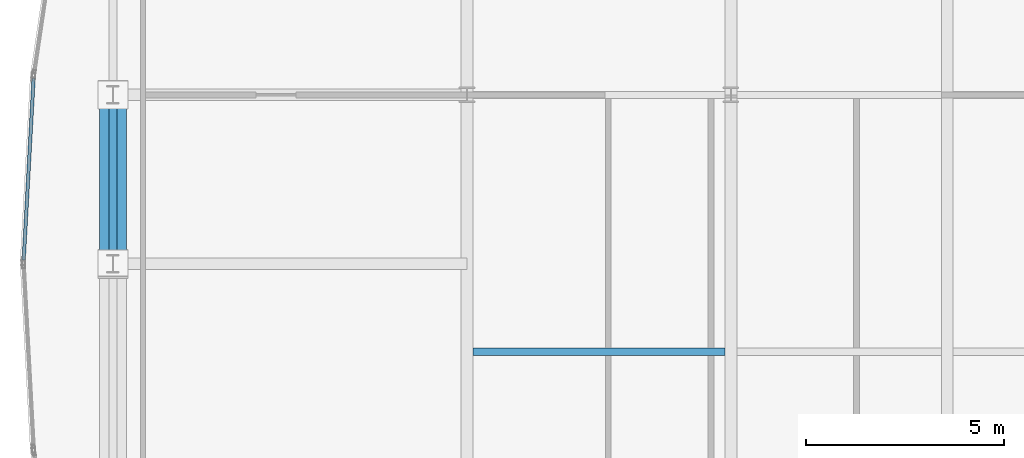
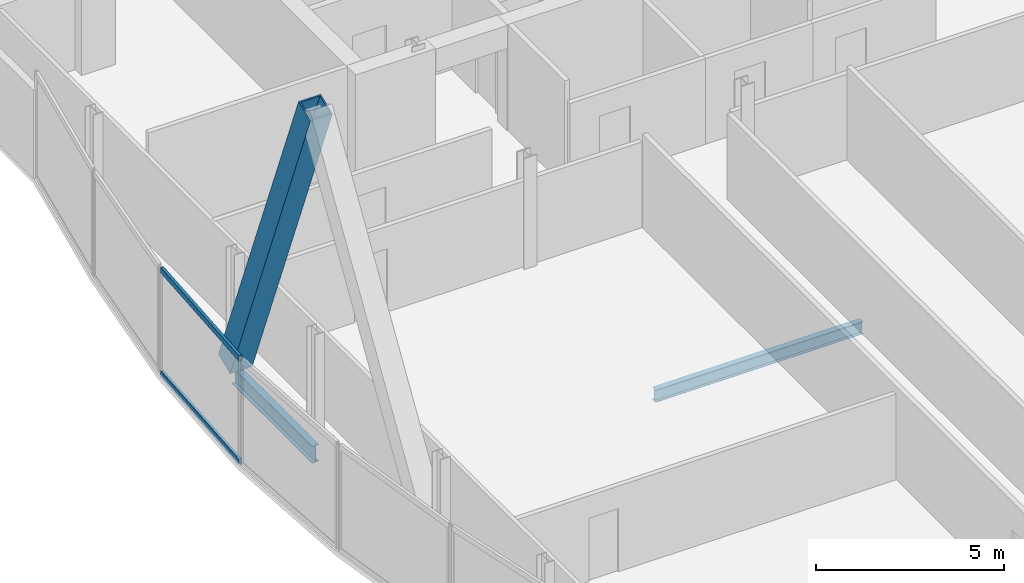
# One storey, part 11 of 31: 3 members, 2 beams, 1 element without a shape of its own.
"""IFC4 building model written with IfcOpenShell, lengths in metres."""

from ifc_helpers import new_model, si_unit, direction, frame, origin, origin_2d, place, context, subcontext, project, spatial, hollow_rectangle, i_section, extrude, material, material_profile, profile_set, type_object, element, aggregate, save


model = new_model("IFC4")

# Units and contexts
model_context = context("Model", 3, precision=1e-05, world=origin(), true_north=direction((0.0, 1.0)))
body_context = subcontext(model_context, "Body", "Model", "MODEL_VIEW")
ifc_project = project(units=[si_unit("LENGTHUNIT", "METRE"), si_unit("AREAUNIT", "SQUARE_METRE"), si_unit("VOLUMEUNIT", "CUBIC_METRE"), si_unit("PLANEANGLEUNIT", "RADIAN"), si_unit("MASSUNIT", "GRAM", prefix="KILO")], contexts=[model_context])

# Site, building, storey
site_placement = place(None, origin())
site = spatial("IfcSite", under=ifc_project, at=site_placement, CompositionType="ELEMENT")
building_placement = place(site_placement, origin())
building = spatial("IfcBuilding", under=site, at=building_placement, Name="Khoronbel Lancet Exchange", CompositionType="ELEMENT")
storey_placement = place(building_placement, frame((0.0, 0.0, 273.39990234375)))
storey = spatial("IfcBuildingStorey", under=building, at=storey_placement, Name="L70", CompositionType="ELEMENT", Elevation=273.39990234375)

# Beams
ifc_material_1 = material(Name="Steel S355", Category="steel")
ifc_material_profile_1 = material_profile(ifc_material_1, i_section(OverallWidth=0.179931640625, OverallDepth=0.39990234375, WebThickness=0.008544921875, FlangeThickness=0.013427734375, at=origin_2d()), Name="IPE 400")
ifc_profile_set_1 = profile_set([ifc_material_profile_1], Name="Steel S355")
beam_type_1 = type_object("IfcBeamType", Name="BM-BJ5", PredefinedType="JOIST", material=ifc_profile_set_1)
beam_1_placement = place(storey_placement, frame((18.375, 29.199951171875, -0.35986328125), z_axis=(1.0, 0.0, 0.0), x_axis=(0.0, 1.0, 0.0)))
element("IfcBeam", 1, at=beam_1_placement, inside=storey, type_object=beam_type_1, Name="Level L70 secondary composite joist J11", PredefinedType="JOIST", context=body_context, shape_type="SweptSolid", body=[
    extrude(i_section(OverallWidth=0.179931640625, OverallDepth=0.39990234375, WebThickness=0.008544921875, FlangeThickness=0.013427734375, at=origin_2d()), origin(), (0.0, 0.0, 1.0), 6.375),
])
ifc_material_profile_2 = material_profile(ifc_material_1, i_section(OverallWidth=0.2099609375, OverallDepth=0.550048828125, WebThickness=0.010986328125, FlangeThickness=0.01708984375, at=origin_2d()), Name="IPE 550")
ifc_profile_set_2 = profile_set([ifc_material_profile_2], Name="Steel S355")
beam_type_2 = type_object("IfcBeamType", Name="BM-BSP3", PredefinedType="SPANDREL", material=ifc_profile_set_2)
beam_2_placement = place(storey_placement, frame((9.27001953125, 35.699951171875, -0.434814453125), z_axis=(0.0, -1.0, 0.0), x_axis=(1.0, 0.0, 0.0)))
element("IfcBeam", 2, at=beam_2_placement, inside=storey, type_object=beam_type_2, Name="Level L70 perimeter spandrel beam SP18", PredefinedType="SPANDREL", context=body_context, shape_type="SweptSolid", body=[
    extrude(i_section(OverallWidth=0.2099609375, OverallDepth=0.550048828125, WebThickness=0.010986328125, FlangeThickness=0.01708984375, at=origin_2d()), origin(), (0.0, 0.0, 1.0), 4.27490234375),
])

# Curtain wall, members
ifc_material_2 = material(Name="Low-E Solar Control Insulating Glass", Category="glass")
curtain_wall_type = type_object("IfcCurtainWallType", Name="CW-4", PredefinedType="NOTDEFINED", material=ifc_material_2)
curtain_wall_placement = place(storey_placement, origin())
curtain_wall = element("IfcCurtainWall", 3, at=curtain_wall_placement, inside=storey, type_object=curtain_wall_type, Name="Unitised curtain wall CW-L70-E07", PredefinedType="NOTDEFINED")
ifc_material_3 = material(Name="Bronze-Anodised Aluminium 6063-T6", Category="aluminium")
ifc_material_profile_3 = material_profile(ifc_material_3, hollow_rectangle(XDim=0.0849609375, YDim=0.179931640625, WallThickness=0.0048828125, at=origin_2d()), Name="ALU TRANSOM 85x180")
ifc_profile_set_3 = profile_set([ifc_material_profile_3], Name="Bronze-Anodised Aluminium 6063-T6")
member_type_1 = type_object("IfcMemberType", Name="MEM-CWT1", PredefinedType="USERDEFINED", material=ifc_profile_set_3)
member_1_placement = place(storey_placement, frame((7.013671875, 31.52490234375, 0.04248046875), z_axis=(0.054373049093, 0.998520691589, 0.0), x_axis=(-0.998520691589, 0.054373049093, 0.0)))
member_1 = element("IfcMember", 4, at=member_1_placement, type_object=member_type_1, Name="CW4 transom 1.1", ObjectType="TRANSOM", PredefinedType="USERDEFINED", context=body_context, shape_type="SweptSolid", body=[
    extrude(hollow_rectangle(XDim=0.0849609375, YDim=0.179931640625, WallThickness=0.0048828125, at=origin_2d()), origin(), (0.0, 0.0, 1.0), 4.597900390625),
])
member_2_placement = place(storey_placement, frame((7.013671875, 31.52490234375, 3.397705078125), z_axis=(0.054373049093, 0.998520691589, 0.0), x_axis=(-0.998520691589, 0.054373049093, 0.0)))
member_2 = element("IfcMember", 5, at=member_2_placement, type_object=member_type_1, Name="CW4 transom 1.2", ObjectType="TRANSOM", PredefinedType="USERDEFINED", context=body_context, shape_type="SweptSolid", body=[
    extrude(hollow_rectangle(XDim=0.0849609375, YDim=0.179931640625, WallThickness=0.0048828125, at=origin_2d()), origin(), (0.0, 0.0, 1.0), 4.597900390625),
])
aggregate(curtain_wall, [member_1, member_2])

# Member
ifc_material_4 = material(Name="Steel S460", Category="steel")
ifc_material_profile_4 = material_profile(ifc_material_4, hollow_rectangle(XDim=0.679931640625, YDim=0.679931640625, WallThickness=0.044921875, at=origin_2d()), Name="BOX 680x680x45")
ifc_profile_set_4 = profile_set([ifc_material_profile_4], Name="Steel S460")
member_type_2 = type_object("IfcMemberType", Name="MEM-MB3", PredefinedType="BRACE", material=ifc_profile_set_4)
member_3_placement = place(storey_placement, frame((9.27001953125, 35.699951171875, 0.0), z_axis=(0.0, -0.368039743753, 0.929810059646), x_axis=(1.0, 0.0, 0.0)))
element("IfcMember", 6, at=member_3_placement, inside=storey, type_object=member_type_2, Name="Perimeter lancet brace tier 24 W-P-R", PredefinedType="BRACE", context=body_context, shape_type="SweptSolid", body=[
    extrude(hollow_rectangle(XDim=0.679931640625, YDim=0.679931640625, WallThickness=0.044921875, at=origin_2d()), origin(), (0.0, 0.0, 1.0), 11.615234375),
])

save(model, "model.ifc")
